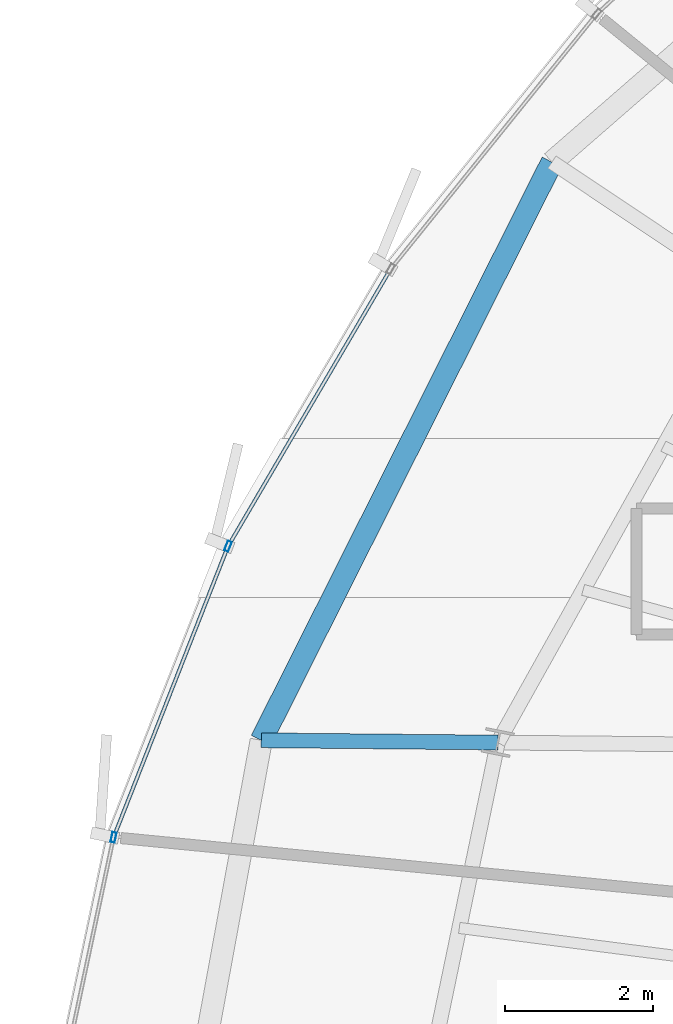
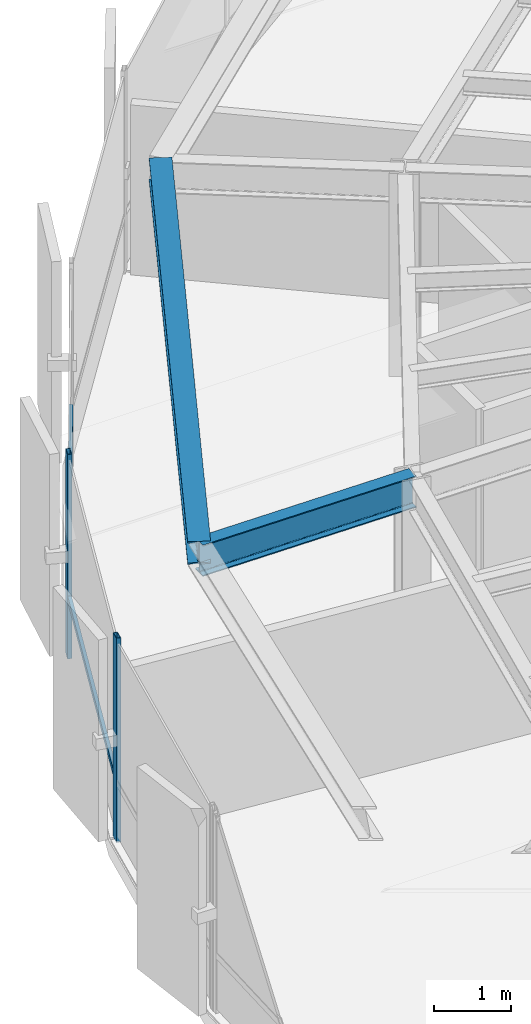
# One storey, part 11 of 34: 4 members, 2 beams, 1 element without a shape of its own.
"""IFC4 building model written with IfcOpenShell, lengths in metres."""

from ifc_helpers import new_model, si_unit, direction, frame, origin, origin_2d, place, context, subcontext, project, spatial, hollow_rectangle, i_section, extrude, source, transform, mapped, material, layer, layer_set, material_profile, profile_set, type_object, element, aggregate, save


model = new_model("IFC4")

# Units and contexts
model_context = context("Model", 3, precision=1e-05, world=origin(), true_north=direction((0.0, 1.0)))
body_context = subcontext(model_context, "Body", "Model", "MODEL_VIEW")
ifc_project = project(units=[si_unit("LENGTHUNIT", "METRE"), si_unit("AREAUNIT", "SQUARE_METRE"), si_unit("VOLUMEUNIT", "CUBIC_METRE"), si_unit("PLANEANGLEUNIT", "RADIAN"), si_unit("MASSUNIT", "GRAM", prefix="KILO"), si_unit("THERMODYNAMICTEMPERATUREUNIT", "KELVIN")], contexts=[model_context])

# Site, building, storey
site_placement = place(None, origin())
site = spatial("IfcSite", under=ifc_project, at=site_placement, CompositionType="ELEMENT")
building_placement = place(site_placement, origin())
building = spatial("IfcBuilding", under=site, at=building_placement, Name="Kethvar Cultural Tower", CompositionType="ELEMENT")
storey_placement = place(building_placement, frame((0.0, 0.0, 190.39990234375)))
storey = spatial("IfcBuildingStorey", under=building, at=storey_placement, Name="L49", CompositionType="ELEMENT", Elevation=190.39990234375)

# Beams
ifc_material_1 = material(Name="Steel S355J2", Category="steel")
ifc_material_profile_1 = material_profile(ifc_material_1, i_section(OverallWidth=0.199951171875, OverallDepth=0.5, WebThickness=0.01025390625, FlangeThickness=0.01611328125, FilletRadius=0.02099609375, at=origin_2d()), Name="Steel S355J2 — IPE500")
ifc_profile_set_1 = profile_set([ifc_material_profile_1], Name="Steel S355J2 — IPE500")
beam_type_1 = type_object("IfcBeamType", Name="BM-IPE500", PredefinedType="BEAM", material=ifc_profile_set_1)
shared_shape_1 = source(origin(), body_context, "Body", "SweptSolid", [
    extrude(i_section(OverallWidth=0.199951171875, OverallDepth=0.5, WebThickness=0.01025390625, FlangeThickness=0.01611328125, FilletRadius=0.02099609375, at=origin_2d()), origin(), (0.0, 0.0, 1.0), 3.2001953125),
])
beam_1_placement = place(storey_placement, frame((29.02490234375, 31.335693359375, 3.008056640625), z_axis=(-0.999954526979, 0.009536455014, 0.0), x_axis=(-0.009536455014, -0.999954526979, 0.0)))
element("IfcBeam", 1, at=beam_1_placement, inside=storey, type_object=beam_type_1, Name="L49 Perimeter Cantilever Beam RC-08", PredefinedType="BEAM", context=body_context, shape_type="MappedRepresentation", body=[
    mapped(shared_shape_1, transform((0.0, 0.0, 0.0), scale=1.0)),
])
ifc_material_profile_2 = material_profile(ifc_material_1, i_section(OverallWidth=0.300048828125, OverallDepth=0.360107421875, WebThickness=0.012451171875, FlangeThickness=0.0224609375, FilletRadius=0.027099609375, at=origin_2d()), Name="Steel S355J2 — HEB360")
ifc_profile_set_2 = profile_set([ifc_material_profile_2], Name="Steel S355J2 — HEB360")
beam_type_2 = type_object("IfcBeamType", Name="BM-SP360", PredefinedType="SPANDREL", material=ifc_profile_set_2)
shared_shape_2 = source(origin(), body_context, "Body", "SweptSolid", [
    extrude(i_section(OverallWidth=0.300048828125, OverallDepth=0.360107421875, WebThickness=0.012451171875, FlangeThickness=0.0224609375, FilletRadius=0.027099609375, at=origin_2d()), origin(), (0.0, 0.0, 1.0), 8.754150390625),
])
beam_2_placement = place(storey_placement, frame((29.757568359375, 39.187255859375, 3.078125), z_axis=(-0.449231599727, -0.893415340033, 0.0), x_axis=(0.893415340033, -0.449231599727, 0.0)))
element("IfcBeam", 2, at=beam_2_placement, inside=storey, type_object=beam_type_2, Name="L49 Perimeter Spandrel Beam SP-07", PredefinedType="SPANDREL", context=body_context, shape_type="MappedRepresentation", body=[
    mapped(shared_shape_2, transform((0.0, 0.0, 0.0), scale=1.0)),
])

# Curtain wall, members
ifc_material_2 = material(Name="Aluminium 6063-T6", Category="aluminium")
ifc_layer = layer(ifc_material_2, 0.179931640625, Name="Aluminium 6063-T6", Category="aluminium")
ifc_layer_set = layer_set([ifc_layer], Name="Aluminium 6063-T6 (180 mm)")
curtain_wall_type = type_object("IfcCurtainWallType", Name="CW-SYS-04-Z34", PredefinedType="NOTDEFINED", material=ifc_layer_set)
curtain_wall_placement = place(storey_placement, origin())
curtain_wall = element("IfcCurtainWall", 3, at=curtain_wall_placement, inside=storey, type_object=curtain_wall_type, Name="L49 Curtain Wall Run 03", PredefinedType="NOTDEFINED")
ifc_material_profile_3 = material_profile(ifc_material_2, hollow_rectangle(XDim=0.06005859375, YDim=0.139892578125, WallThickness=0.0048828125, at=origin_2d()), Name="Aluminium 6063-T6 — RHS140x60x5")
ifc_profile_set_3 = profile_set([ifc_material_profile_3], Name="Aluminium 6063-T6 — RHS140x60x5")
member_type_1 = type_object("IfcMemberType", Name="CW-SYS-04-Z34-MUL", PredefinedType="MULLION", material=ifc_profile_set_3)
shared_shape_3 = source(origin(), body_context, "Body", "SweptSolid", [
    extrude(hollow_rectangle(XDim=0.06005859375, YDim=0.139892578125, WallThickness=0.0048828125, at=origin_2d()), origin(), (0.0, 0.0, 1.0), 3.260009765625),
])
member_1_placement = place(storey_placement, frame((25.375, 33.9912109375, 0.0), z_axis=(0.0, 0.0, 1.0), x_axis=(0.930781716732, -0.365575431065, 0.0)))
member_1 = element("IfcMember", 4, at=member_1_placement, type_object=member_type_1, Name="CW-L49-R03 Mullion 5", PredefinedType="MULLION", context=body_context, shape_type="MappedRepresentation", body=[
    mapped(shared_shape_3, transform((0.0, 0.0, 0.0), scale=1.0)),
])
member_2_placement = place(storey_placement, frame((23.826904296875, 30.053466796875, 0.0), z_axis=(0.0, 0.0, 1.0), x_axis=(0.978303361227, -0.207177540798, 0.0)))
member_2 = element("IfcMember", 5, at=member_2_placement, type_object=member_type_1, Name="CW-L49-R03 Mullion 6", PredefinedType="MULLION", context=body_context, shape_type="MappedRepresentation", body=[
    mapped(shared_shape_3, transform((0.0, 0.0, 0.0), scale=1.0)),
])
ifc_material_profile_4 = material_profile(ifc_material_2, hollow_rectangle(XDim=0.050048828125, YDim=0.10009765625, WallThickness=0.00390625, at=origin_2d()), Name="Aluminium 6063-T6 — RHS100x50x4")
ifc_profile_set_4 = profile_set([ifc_material_profile_4], Name="Aluminium 6063-T6 — RHS100x50x4")
member_type_2 = type_object("IfcMemberType", Name="CW-SYS-04-Z34-TRN", PredefinedType="USERDEFINED", material=ifc_profile_set_4)
shared_shape_4 = source(origin(), body_context, "Body", "SweptSolid", [
    extrude(hollow_rectangle(XDim=0.050048828125, YDim=0.10009765625, WallThickness=0.00390625, at=origin_2d()), origin(), (0.0, 0.0, 1.0), 4.278564453125),
])
member_3_placement = place(storey_placement, frame((27.552978515625, 37.7041015625, 0.9501953125), z_axis=(-0.505682888722, -0.862719430669, 0.0), x_axis=(0.862719430669, -0.505682888722, 0.0)))
member_3 = element("IfcMember", 6, at=member_3_placement, type_object=member_type_2, Name="CW-L49-R03 Transom 4", ObjectType="TRANSOM", PredefinedType="USERDEFINED", context=body_context, shape_type="MappedRepresentation", body=[
    mapped(shared_shape_4, transform((0.0, 0.0, 0.0), scale=1.0)),
])
shared_shape_5 = source(origin(), body_context, "Body", "SweptSolid", [
    extrude(hollow_rectangle(XDim=0.050048828125, YDim=0.10009765625, WallThickness=0.00390625, at=origin_2d()), origin(), (0.0, 0.0, 1.0), 4.16259765625),
])
member_4_placement = place(storey_placement, frame((25.359130859375, 33.950927734375, 0.9501953125), z_axis=(-0.365568899226, -0.930784282161, 0.0), x_axis=(0.930784282161, -0.365568899226, 0.0)))
member_4 = element("IfcMember", 7, at=member_4_placement, type_object=member_type_2, Name="CW-L49-R03 Transom 5", ObjectType="TRANSOM", PredefinedType="USERDEFINED", context=body_context, shape_type="MappedRepresentation", body=[
    mapped(shared_shape_5, transform((0.0, 0.0, 0.0), scale=1.0)),
])
aggregate(curtain_wall, [member_1, member_2, member_3, member_4])

save(model, "model.ifc")
